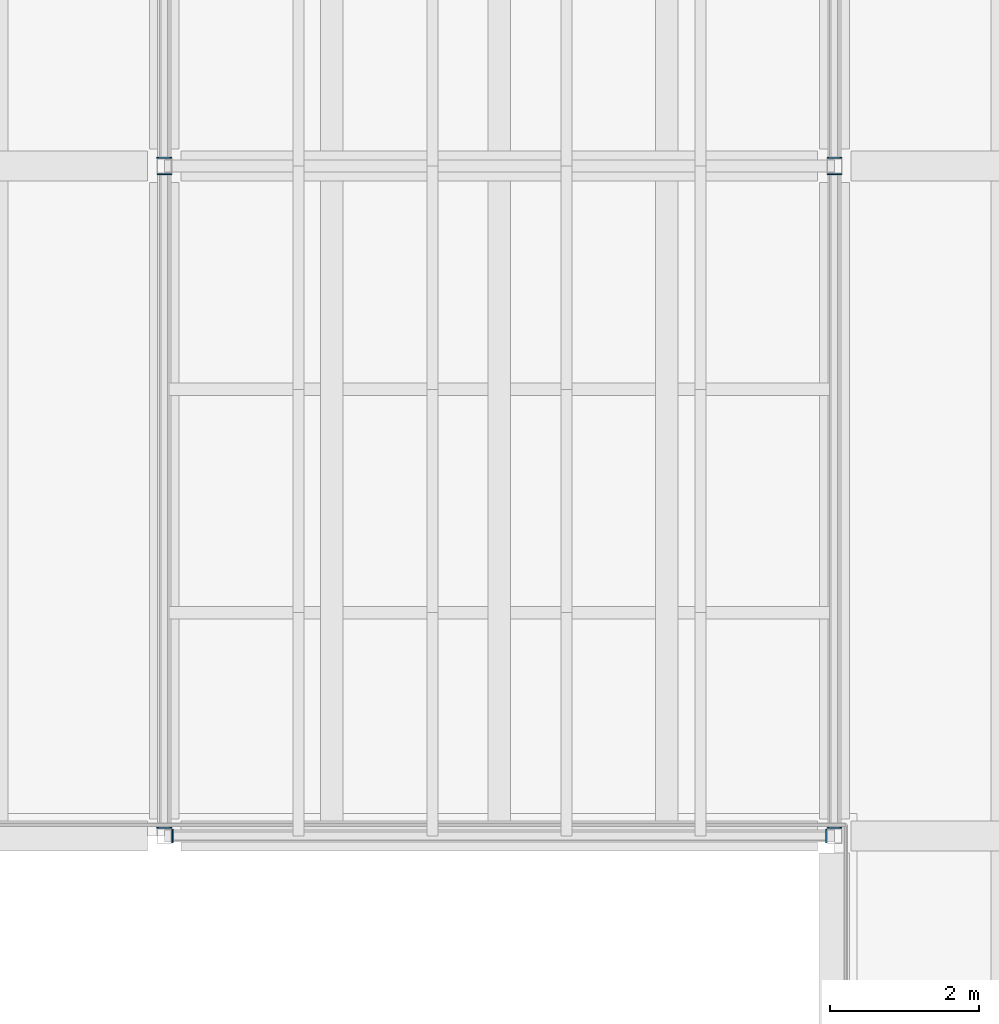
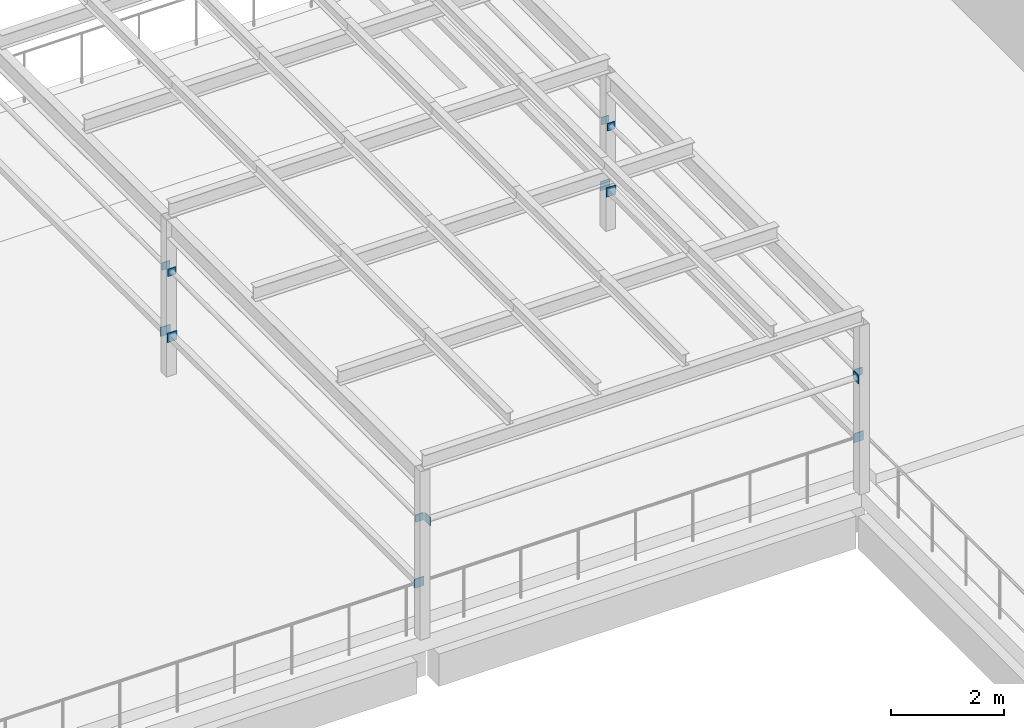
# One storey, part 52 of 74: 14 discrete accessories.
"""IFC4 building model written with IfcOpenShell, lengths in metres."""

from ifc_helpers import new_model, si_unit, direction, frame, origin, place, context, subcontext, project, spatial, polyline, outline, extrude, source, transform, mapped, material, layer, layer_set, type_object, element, save


model = new_model("IFC4")

# Units and contexts
model_context = context("Model", 3, precision=1e-05, world=origin(), true_north=direction((0.0, 1.0)))
body_context = subcontext(model_context, "Body", "Model", "MODEL_VIEW")
ifc_project = project(units=[si_unit("LENGTHUNIT", "METRE"), si_unit("AREAUNIT", "SQUARE_METRE"), si_unit("VOLUMEUNIT", "CUBIC_METRE"), si_unit("PLANEANGLEUNIT", "RADIAN"), si_unit("MASSUNIT", "GRAM", prefix="KILO")], contexts=[model_context])

# Site, building, storey
site_placement = place(None, origin())
site = spatial("IfcSite", under=ifc_project, at=site_placement, CompositionType="ELEMENT")
building_placement = place(site_placement, origin())
building = spatial("IfcBuilding", under=site, at=building_placement, Name="Merrow Basin Faculty of Sciences", CompositionType="ELEMENT")
storey_placement = place(building_placement, frame((0.0, 0.0, 13.5)))
storey = spatial("IfcBuildingStorey", under=building, at=storey_placement, Name="L03", CompositionType="ELEMENT", Elevation=13.5)

# Discrete accessories
ifc_material_1 = material(Name="Steel ASTM A572 Gr 50", Category="steel")
ifc_layer_1 = layer(ifc_material_1, 0.01611328125)
ifc_layer_set_1 = layer_set([ifc_layer_1], Name="Steel end plate 197 x 197 x 16")
discrete_accessory_type_1 = type_object("IfcDiscreteAccessoryType", Name="Steel end plate 197 x 197 x 16", PredefinedType="ANCHORPLATE", material=ifc_layer_set_1)
shared_shape_1 = source(origin(), body_context, "Body", "SweptSolid", [
    extrude(outline(polyline([(0.0, 0.0), (0.197021484375, 0.0), (0.197021484375, 0.197021484375), (0.0, 0.197021484375), (0.0, 0.0)])), origin(), (0.0, 0.0, 1.0), 0.01611328125),
])
for number, where, z_axis, x_axis, name in (
    (1, (44.90087890625, 115.117919921875, 1.001953125), (0.0, -1.0, 0.0), (1.0, 0.0, 0.0), "End plate TK1 L03 031 start"),
    (2, (45.09912109375, 123.882080078125, 1.001953125), (0.0, 1.0, 0.0), (-1.0, 0.0, 0.0), "End plate TK1 L03 031 end"),
    (3, (44.90087890625, 124.117919921875, 1.001953125), (0.0, -1.0, 0.0), (1.0, 0.0, 0.0), "End plate TK1 L03 032 start"),
    (4, (53.90087890625, 115.117919921875, 1.001953125), (0.0, -1.0, 0.0), (1.0, 0.0, 0.0), "End plate TK1 L03 033 start"),
    (5, (54.09912109375, 123.882080078125, 1.001953125), (0.0, 1.0, 0.0), (-1.0, 0.0, 0.0), "End plate TK1 L03 033 end"),
    (6, (53.90087890625, 124.117919921875, 1.001953125), (0.0, -1.0, 0.0), (1.0, 0.0, 0.0), "End plate TK1 L03 034 start"),
):
    element("IfcDiscreteAccessory", number, at=place(storey_placement, frame(where, z_axis=z_axis, x_axis=x_axis)), inside=storey, type_object=discrete_accessory_type_1, Name=name, PredefinedType="ANCHORPLATE", context=body_context, shape_type="MappedRepresentation", body=[
        mapped(shared_shape_1, transform((0.0, 0.0, 0.0), scale=1.0)),
    ])
ifc_material_2 = material(Name="Steel ASTM A572 Gr 50", Category="steel")
ifc_layer_2 = layer(ifc_material_2, 0.01611328125)
ifc_layer_set_2 = layer_set([ifc_layer_2], Name="Steel end plate 184 x 184 x 16")
discrete_accessory_type_2 = type_object("IfcDiscreteAccessoryType", Name="Steel end plate 184 x 184 x 16", PredefinedType="ANCHORPLATE", material=ifc_layer_set_2)
shared_shape_2 = source(origin(), body_context, "Body", "SweptSolid", [
    extrude(outline(polyline([(0.0, 0.0), (0.18408203125, 0.0), (0.18408203125, 0.18408203125), (0.0, 0.18408203125), (0.0, 0.0)])), origin(), (0.0, 0.0, 1.0), 0.01611328125),
])
for number, where, z_axis, x_axis, name in (
    (7, (45.117919921875, 115.092041015625, 2.40087890625), (-1.0, 0.0, 0.0), (0.0, -1.0, 0.0), "End plate TB1 L03 025 start"),
    (8, (53.882080078125, 114.907958984375, 2.40087890625), (1.0, 0.0, 0.0), (0.0, 1.0, 0.0), "End plate TB1 L03 025 end"),
):
    element("IfcDiscreteAccessory", number, at=place(storey_placement, frame(where, z_axis=z_axis, x_axis=x_axis)), inside=storey, type_object=discrete_accessory_type_2, Name=name, PredefinedType="ANCHORPLATE", context=body_context, shape_type="MappedRepresentation", body=[
        mapped(shared_shape_2, transform((0.0, 0.0, 0.0), scale=1.0)),
    ])
ifc_material_3 = material(Name="Steel ASTM A572 Gr 50", Category="steel")
ifc_layer_3 = layer(ifc_material_3, 0.01611328125)
ifc_layer_set_3 = layer_set([ifc_layer_3], Name="Steel end plate 159 x 159 x 16")
discrete_accessory_type_3 = type_object("IfcDiscreteAccessoryType", Name="Steel end plate 159 x 159 x 16", PredefinedType="ANCHORPLATE", material=ifc_layer_set_3)
shared_shape_3 = source(origin(), body_context, "Body", "SweptSolid", [
    extrude(outline(polyline([(0.0, 0.0), (0.158935546875, 0.0), (0.158935546875, 0.158935546875), (0.0, 0.158935546875), (0.0, 0.0)])), origin(), (0.0, 0.0, 1.0), 0.01611328125),
])
for number, where, z_axis, x_axis, name in (
    (9, (44.9208984375, 115.117919921875, 2.427001953125), (0.0, -1.0, 0.0), (1.0, 0.0, 0.0), "End plate TL1 L03 027 start"),
    (10, (45.0791015625, 123.882080078125, 2.427001953125), (0.0, 1.0, 0.0), (-1.0, 0.0, 0.0), "End plate TL1 L03 027 end"),
    (11, (44.9208984375, 124.117919921875, 2.427001953125), (0.0, -1.0, 0.0), (1.0, 0.0, 0.0), "End plate TL1 L03 028 start"),
    (12, (53.9208984375, 115.117919921875, 2.427001953125), (0.0, -1.0, 0.0), (1.0, 0.0, 0.0), "End plate TL1 L03 029 start"),
    (13, (54.0791015625, 123.882080078125, 2.427001953125), (0.0, 1.0, 0.0), (-1.0, 0.0, 0.0), "End plate TL1 L03 029 end"),
    (14, (53.9208984375, 124.117919921875, 2.427001953125), (0.0, -1.0, 0.0), (1.0, 0.0, 0.0), "End plate TL1 L03 030 start"),
):
    element("IfcDiscreteAccessory", number, at=place(storey_placement, frame(where, z_axis=z_axis, x_axis=x_axis)), inside=storey, type_object=discrete_accessory_type_3, Name=name, PredefinedType="ANCHORPLATE", context=body_context, shape_type="MappedRepresentation", body=[
        mapped(shared_shape_3, transform((0.0, 0.0, 0.0), scale=1.0)),
    ])

save(model, "model.ifc")
